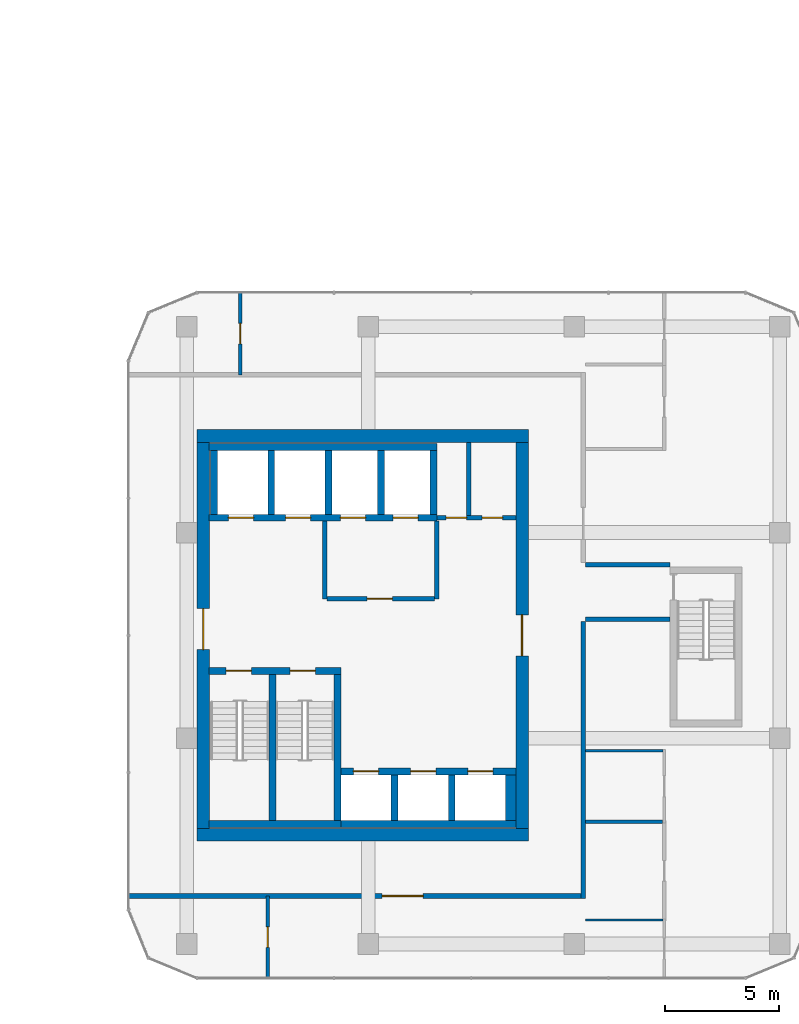
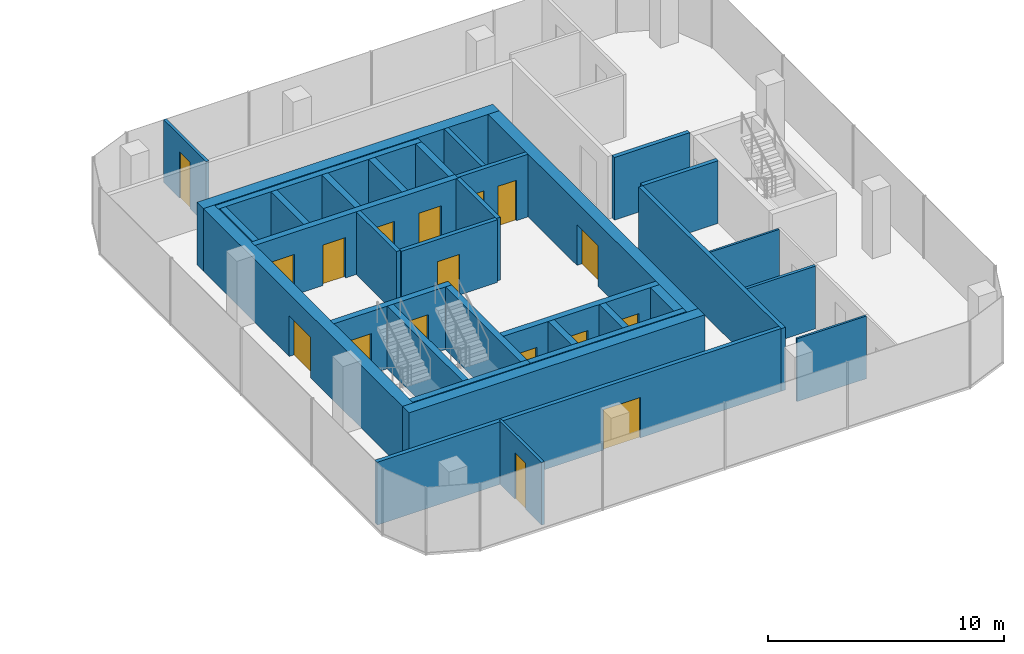
# One storey, part 18 of 23: 34 walls, 17 doors, 17 openings.
"""IFC4 building model written with IfcOpenShell, lengths in metres."""

import ifcopenshell
import ifcopenshell.guid

model = None  # the IFC model being written
_history = None  # IfcOwnerHistory: only IFC2X3 demands one
_inside = {}  # id of a spatial element -> (the spatial element, [elements in it])
_under = {}  # id of a project, library or spatial element -> (it, [spatial elements below it])
_declared = {}  # id of a project -> (the project, [libraries it declares])
_typed = {}  # id of a type object -> (the type object, [elements of that type])
_made_of = {}  # id of a material, layer set ... -> (it, [elements and type objects made of it])


def new_model(schema):
    """Start an empty IFC model of exactly this schema.

    Asked for "IFC4X3", IfcOpenShell would pick the latest addendum, in which some entities
    have other attributes; the version numbers below select the first issue.
    IFC2X3 requires an IfcOwnerHistory on every rooted entity: one is made here for all.
    """
    global model, _history
    if schema == "IFC4X3":
        model = ifcopenshell.file(schema_version=(4, 3, 0, 0))
    else:
        model = ifcopenshell.file(schema=schema)
    _inside.clear()
    _under.clear()
    _declared.clear()
    _typed.clear()
    _made_of.clear()
    _history = None
    if model.schema == "IFC2X3":
        org = make("IfcOrganization", Name="unknown")
        user = make(
            "IfcPersonAndOrganization",
            ThePerson=make("IfcPerson", FamilyName="unknown"),
            TheOrganization=org,
        )
        app = make(
            "IfcApplication",
            ApplicationDeveloper=org,
            Version="unknown",
            ApplicationFullName="unknown",
            ApplicationIdentifier="unknown",
        )
        _history = make(
            "IfcOwnerHistory",
            OwningUser=user,
            OwningApplication=app,
            ChangeAction="ADDED",
            CreationDate=0,
        )
    return model


def make(cls, **values):
    """One entity of the class cls with the attributes given. An attribute that is None is left unset."""
    return model.create_entity(
        cls, **{name: value for name, value in values.items() if value is not None}
    )


def rooted(cls, **values):
    """An entity with a GlobalId (a new one), such as an element, a storey or a relation."""
    return make(cls, GlobalId=ifcopenshell.guid.new(), OwnerHistory=_history, **values)


def si_unit(unit_type, name, prefix=None):
    """IfcSIUnit, for example si_unit("LENGTHUNIT", "METRE", prefix="MILLI")."""
    return make("IfcSIUnit", UnitType=unit_type, Prefix=prefix, Name=name)


def assignment(units):
    """IfcUnitAssignment: the units of a project."""
    return None if units is None else make("IfcUnitAssignment", Units=units)


def point(xyz):
    """IfcCartesianPoint."""
    return None if xyz is None else make("IfcCartesianPoint", Coordinates=xyz)


def direction(xyz):
    """IfcDirection."""
    return None if xyz is None else make("IfcDirection", DirectionRatios=xyz)


def frame(location, z_axis=None, x_axis=None):
    """IfcAxis2Placement3D, a coordinate frame: its origin and axes. An axis left out is left unset."""
    return make(
        "IfcAxis2Placement3D",
        Location=point(location),
        Axis=direction(z_axis),
        RefDirection=direction(x_axis),
    )


def frame_2d(location, x_axis=None):
    """IfcAxis2Placement2D, a coordinate frame in the plane: its origin and x axis."""
    return make(
        "IfcAxis2Placement2D", Location=point(location), RefDirection=direction(x_axis)
    )


def origin():
    """The frame at (0, 0, 0) with its axes left unset."""
    return frame((0.0, 0.0, 0.0))


def place(relative_to, where):
    """IfcLocalPlacement: puts the frame where relative to a parent placement (None: the world)."""
    return make(
        "IfcLocalPlacement", PlacementRelTo=relative_to, RelativePlacement=where
    )


def context(
    kind, dimensions, precision=None, world=None, true_north=None, identifier=None
):
    """IfcGeometricRepresentationContext, for example the 3D "Model" context."""
    return make(
        "IfcGeometricRepresentationContext",
        ContextIdentifier=identifier,
        ContextType=kind,
        CoordinateSpaceDimension=dimensions,
        Precision=precision,
        WorldCoordinateSystem=world,
        TrueNorth=true_north,
    )


def subcontext(parent, identifier, kind, view, scale=None):
    """IfcGeometricRepresentationSubContext, for example "Body" below "Model"."""
    return make(
        "IfcGeometricRepresentationSubContext",
        ContextIdentifier=identifier,
        ContextType=kind,
        ParentContext=parent,
        TargetScale=scale,
        TargetView=view,
    )


def project(units=None, contexts=None):
    """IfcProject with its units and contexts."""
    return rooted(
        "IfcProject",
        Name="project",
        RepresentationContexts=contexts,
        UnitsInContext=assignment(units),
    )


def spatial(cls, under=None, at=None, **own):
    """A site, building, storey or space (cls), placed at a placement, below another one or the project."""
    s = rooted(cls, ObjectPlacement=at, **own)
    if under is not None:
        _under.setdefault(under.id(), (under, []))[1].append(s)
    return s


def profile(cls, at=None, kind="AREA", **sizes):
    """A parametric profile (cls). Its sizes go by their IFC names, for example OverallWidth=200.0."""
    return make(cls, ProfileType=kind, Position=at, **sizes)


def rectangle(**sizes):
    """IfcRectangleProfileDef."""
    return profile("IfcRectangleProfileDef", **sizes)


def extrude(swept, where, along, depth):
    """IfcExtrudedAreaSolid: the profile swept, set in the frame where, extruded along a direction by depth."""
    return make(
        "IfcExtrudedAreaSolid",
        SweptArea=swept,
        Position=where,
        ExtrudedDirection=direction(along),
        Depth=depth,
    )


def shape(context_of_items, identifier, shape_type, items):
    """IfcShapeRepresentation: the items that make up one representation, for example the "Body"."""
    return make(
        "IfcShapeRepresentation",
        ContextOfItems=context_of_items,
        RepresentationIdentifier=identifier,
        RepresentationType=shape_type,
        Items=items,
    )


def material(Name=None, Category=None):
    """IfcMaterial."""
    return make("IfcMaterial", Name=Name, Category=Category)


def layer(
    of_material, thickness, ventilated=None, Name=None, Category=None, Priority=None
):
    """IfcMaterialLayer: one layer of a wall or slab, of a material (None: an air gap)."""
    return make(
        "IfcMaterialLayer",
        Material=of_material,
        LayerThickness=thickness,
        IsVentilated=ventilated,
        Name=Name,
        Category=Category,
        Priority=Priority,
    )


def layer_set(layers, Name=None):
    """IfcMaterialLayerSet."""
    return make("IfcMaterialLayerSet", MaterialLayers=layers, LayerSetName=Name)


def made_of(thing, what):
    """Note that an element or type object is made of a material, layer set ...; save() writes the relation."""
    if what is not None:
        _made_of.setdefault(what.id(), (what, []))[1].append(thing)
    return thing


def type_object(cls, material=None, **own):
    """A type object (cls), such as IfcWallType, which elements share."""
    return made_of(rooted(cls, **own), material)


def element(
    cls,
    number,
    at=None,
    inside=None,
    cuts=None,
    type_object=None,
    material=None,
    context=None,
    identifier="Body",
    shape_type=None,
    held_by="IfcProductDefinitionShape",
    body=None,
    shapes=None,
    **own,
):
    """One element of the class cls, such as IfcWall. Its Tag is "e" and its number.

    at: its placement. inside: the storey or other place that contains it. cuts: it is an
    opening in that element (IfcRelVoidsElement). A single representation is given by context,
    identifier, shape_type and body (its items); several are given by shapes. held_by: the class
    of the entity that holds the representations. save() writes the other relations.
    """
    e = rooted(cls, Tag="e%d" % number, ObjectPlacement=at, **own)
    if body is not None:
        shapes = [shape(context, identifier, shape_type, body)]
    if shapes is not None:
        e.Representation = make(held_by, Representations=shapes)
    if inside is not None:
        _inside.setdefault(inside.id(), (inside, []))[1].append(e)
    if cuts is not None:
        rooted(
            "IfcRelVoidsElement", RelatingBuildingElement=cuts, RelatedOpeningElement=e
        )
    if type_object is not None:
        _typed.setdefault(type_object.id(), (type_object, []))[1].append(e)
    return made_of(e, material)


def fill(opening, filler):
    """IfcRelFillsElement: the door or window that sits in an opening."""
    return rooted(
        "IfcRelFillsElement",
        RelatingOpeningElement=opening,
        RelatedBuildingElement=filler,
    )


def aggregate(whole, parts):
    """IfcRelAggregates: a whole, such as a stair, and the parts it consists of."""
    return rooted("IfcRelAggregates", RelatingObject=whole, RelatedObjects=parts)


def save(model, path):
    """Write the relations noted so far, then the file.

    IfcRelAggregates (storeys below a building ...), IfcRelContainedInSpatialStructure (elements
    in a storey), IfcRelDefinesByType, IfcRelAssociatesMaterial and IfcRelDeclares: one each for
    every whole, place, type object, material and project.
    """
    for whole, parts in _under.values():
        aggregate(whole, parts)
    for where, things in _inside.values():
        rooted(
            "IfcRelContainedInSpatialStructure",
            RelatedElements=things,
            RelatingStructure=where,
        )
    for kind, things in _typed.values():
        rooted("IfcRelDefinesByType", RelatedObjects=things, RelatingType=kind)
    for what, things in _made_of.values():
        rooted("IfcRelAssociatesMaterial", RelatedObjects=things, RelatingMaterial=what)
    for by, libraries in _declared.values():
        rooted("IfcRelDeclares", RelatingContext=by, RelatedDefinitions=libraries)
    model.write(path)


model = new_model("IFC4")

# Units and contexts
model_context = context("Model", 3, precision=1e-05, world=origin(), true_north=direction((0.0, 1.0)))
body_context = subcontext(model_context, "Body", "Model", "MODEL_VIEW")
ifc_project = project(units=[si_unit("LENGTHUNIT", "METRE"), si_unit("AREAUNIT", "SQUARE_METRE"), si_unit("VOLUMEUNIT", "CUBIC_METRE"), si_unit("PLANEANGLEUNIT", "RADIAN"), si_unit("MASSUNIT", "GRAM", prefix="KILO")], contexts=[model_context])

# Site, building, storey
site_placement = place(None, origin())
site = spatial("IfcSite", under=ifc_project, at=site_placement, CompositionType="ELEMENT")
building_placement = place(site_placement, origin())
building = spatial("IfcBuilding", under=site, at=building_placement, Name="Plateau Cross Towers", CompositionType="ELEMENT")
storey_placement = place(building_placement, frame((0.0, 0.0, 37.300048828125)))
storey = spatial("IfcBuildingStorey", under=building, at=storey_placement, Name="L08", CompositionType="ELEMENT", Elevation=37.300048828125)

# Wall
ifc_material_1 = material(Name="Concrete block, plastered both sides", Category="concrete")
ifc_layer_1 = layer(ifc_material_1, 0.199951171875)
ifc_layer_set_1 = layer_set([ifc_layer_1], Name="Concrete block, plastered both sides")
wall_type_1 = type_object("IfcWallType", Name="Core partition 200", PredefinedType="PARTITIONING", material=ifc_layer_set_1)
wall_1_placement = place(storey_placement, frame((80.60009765625, 10.60009765625, 0.0), z_axis=(0.0, 0.0, 1.0), x_axis=(0.0, 1.0, 0.0)))
element("IfcWall", 1, at=wall_1_placement, inside=storey, type_object=wall_type_1, Name="Core partition", PredefinedType="PARTITIONING", context=body_context, shape_type="SweptSolid", body=[
    extrude(rectangle(XDim=3.39990234375, YDim=0.199951171875, at=frame_2d((1.699951171875, 0.0))), origin(), (0.0, 0.0, 1.0), 3.25),
])

# Wall, opening, door
wall_2_placement = place(storey_placement, frame((80.699951171875, 10.60009765625, 0.0), z_axis=(0.0, 0.0, 1.0), x_axis=(1.0, 0.0, 0.0)))
wall_2 = element("IfcWall", 2, at=wall_2_placement, inside=storey, type_object=wall_type_1, Name="Core partition", PredefinedType="PARTITIONING", context=body_context, shape_type="SweptSolid", body=[
    extrude(rectangle(XDim=4.699951171875, YDim=0.199951171875, at=frame_2d((2.35009765625, 0.0))), origin(), (0.0, 0.0, 1.0), 3.25),
])
opening_1_placement = place(wall_2_placement, frame((1.75, 0.0, 0.0)))
opening_1 = element("IfcOpeningElement", 3, at=opening_1_placement, cuts=wall_2, Name="Opening FFD", PredefinedType="OPENING", context=body_context, shape_type="SweptSolid", body=[
    extrude(rectangle(XDim=1.10009765625, YDim=2.10009765625, at=frame_2d((0.550048828125, 1.050048828125))), frame((0.0, 0.10986328125, 0.0), z_axis=(0.0, -1.0, 0.0), x_axis=(1.0, 0.0, 0.0)), (0.0, 0.0, 1.0), 0.219970703125),
])
ifc_material_2 = material(Name="Steel, fire-resisting leaf", Category="steel")
door_type_1 = type_object("IfcDoorType", Name="Firefighting lobby door 1100", OperationType="NOTDEFINED", PredefinedType="DOOR", material=ifc_material_2)
door_1_placement = place(opening_1_placement, origin())
door_1 = element("IfcDoor", 4, at=door_1_placement, inside=storey, type_object=door_type_1, Name="Firefighting lobby door FFD", OperationType="SINGLE_SWING_LEFT", OverallHeight=2.10009765625, OverallWidth=1.10009765625, PredefinedType="DOOR", context=body_context, shape_type="SweptSolid", body=[
    extrude(rectangle(XDim=1.10009765625, YDim=2.10009765625, at=frame_2d((0.550048828125, 1.050048828125))), frame((0.0, 0.02490234375, 0.0), z_axis=(0.0, -1.0, 0.0), x_axis=(1.0, 0.0, 0.0)), (0.0, 0.0, 1.0), 0.050048828125),
])
fill(opening_1, door_1)

# Wall
wall_3_placement = place(storey_placement, frame((85.5, 10.60009765625, 0.0), z_axis=(0.0, 0.0, 1.0), x_axis=(0.0, 1.0, 0.0)))
element("IfcWall", 5, at=wall_3_placement, inside=storey, type_object=wall_type_1, Name="Core partition", PredefinedType="PARTITIONING", context=body_context, shape_type="SweptSolid", body=[
    extrude(rectangle(XDim=3.39990234375, YDim=0.199951171875, at=frame_2d((1.699951171875, 0.0))), origin(), (0.0, 0.0, 1.0), 3.25),
])

# Wall, openings, doors
wall_4_placement = place(storey_placement, frame((85.5, 14.14990234375, 0.0), z_axis=(0.0, 0.0, 1.0), x_axis=(1.0, 0.0, 0.0)))
wall_4 = element("IfcWall", 6, at=wall_4_placement, inside=storey, type_object=wall_type_1, Name="Core partition", PredefinedType="PARTITIONING", context=body_context, shape_type="SweptSolid", body=[
    extrude(rectangle(XDim=3.449951171875, YDim=0.199951171875, at=frame_2d((1.72509765625, 0.0))), origin(), (0.0, 0.0, 1.0), 3.25),
])
opening_2_placement = place(wall_4_placement, frame((0.39990234375, 0.0, 0.0)))
opening_2 = element("IfcOpeningElement", 7, at=opening_2_placement, cuts=wall_4, Name="Opening RD2", PredefinedType="OPENING", context=body_context, shape_type="SweptSolid", body=[
    extrude(rectangle(XDim=0.89990234375, YDim=2.10009765625, at=frame_2d((0.449951171875, 1.050048828125))), frame((0.0, 0.10986328125, 0.0), z_axis=(0.0, -1.0, 0.0), x_axis=(1.0, 0.0, 0.0)), (0.0, 0.0, 1.0), 0.219970703125),
])
opening_3_placement = place(wall_4_placement, frame((1.97509765625, 0.0, 0.0)))
opening_3 = element("IfcOpeningElement", 8, at=opening_3_placement, cuts=wall_4, Name="Opening RD2", PredefinedType="OPENING", context=body_context, shape_type="SweptSolid", body=[
    extrude(rectangle(XDim=0.89990234375, YDim=2.10009765625, at=frame_2d((0.449951171875, 1.050048828125))), frame((0.0, 0.10986328125, 0.0), z_axis=(0.0, -1.0, 0.0), x_axis=(1.0, 0.0, 0.0)), (0.0, 0.0, 1.0), 0.219970703125),
])
door_type_2 = type_object("IfcDoorType", Name="Core riser door 900", OperationType="NOTDEFINED", PredefinedType="DOOR", material=ifc_material_2)
door_2_placement = place(opening_2_placement, origin())
door_2 = element("IfcDoor", 9, at=door_2_placement, inside=storey, type_object=door_type_2, Name="Core riser door RD2", OperationType="SINGLE_SWING_LEFT", OverallHeight=2.10009765625, OverallWidth=0.89990234375, PredefinedType="DOOR", context=body_context, shape_type="SweptSolid", body=[
    extrude(rectangle(XDim=0.89990234375, YDim=2.10009765625, at=frame_2d((0.449951171875, 1.050048828125))), frame((0.0, 0.02490234375, 0.0), z_axis=(0.0, -1.0, 0.0), x_axis=(1.0, 0.0, 0.0)), (0.0, 0.0, 1.0), 0.050048828125),
])
fill(opening_2, door_2)
door_3_placement = place(opening_3_placement, origin())
door_3 = element("IfcDoor", 10, at=door_3_placement, inside=storey, type_object=door_type_2, Name="Core riser door RD2", OperationType="SINGLE_SWING_LEFT", OverallHeight=2.10009765625, OverallWidth=0.89990234375, PredefinedType="DOOR", context=body_context, shape_type="SweptSolid", body=[
    extrude(rectangle(XDim=0.89990234375, YDim=2.10009765625, at=frame_2d((0.449951171875, 1.050048828125))), frame((0.0, 0.02490234375, 0.0), z_axis=(0.0, -1.0, 0.0), x_axis=(1.0, 0.0, 0.0)), (0.0, 0.0, 1.0), 0.050048828125),
])
fill(opening_3, door_3)

# Walls
wall_5_placement = place(storey_placement, frame((86.89990234375, 14.25, 0.0), z_axis=(0.0, 0.0, 1.0), x_axis=(0.0, 1.0, 0.0)))
element("IfcWall", 11, at=wall_5_placement, inside=storey, type_object=wall_type_1, Name="Core partition", PredefinedType="PARTITIONING", context=body_context, shape_type="SweptSolid", body=[
    extrude(rectangle(XDim=3.199951171875, YDim=0.199951171875, at=frame_2d((1.60009765625, 0.0))), origin(), (0.0, 0.0, 1.0), 3.25),
])
ifc_material_3 = material(Name="Concrete C60/75", Category="concrete")
ifc_layer_2 = layer(ifc_material_3, 0.300048828125)
ifc_layer_set_2 = layer_set([ifc_layer_2], Name="Concrete C60/75")
wall_type_2 = type_object("IfcWallType", Name="Core shaft wall 300", PredefinedType="SHEAR", material=ifc_layer_set_2)
wall_6_placement = place(storey_placement, frame((75.530029296875, 0.75, 0.0), z_axis=(0.0, 0.0, 1.0), x_axis=(1.0, 0.0, 0.0)))
element("IfcWall", 12, at=wall_6_placement, inside=storey, type_object=wall_type_2, Name="B-sb-stS@L08", PredefinedType="SHEAR", context=body_context, shape_type="SweptSolid", body=[
    extrude(rectangle(XDim=5.77001953125, YDim=0.300048828125, at=frame_2d((2.885009765625, 0.0))), origin(), (0.0, 0.0, 1.0), 3.25),
])

# Wall, openings, doors
wall_7_placement = place(storey_placement, frame((75.530029296875, 7.449951171875, 0.0), z_axis=(0.0, 0.0, 1.0), x_axis=(1.0, 0.0, 0.0)))
wall_7 = element("IfcWall", 13, at=wall_7_placement, inside=storey, type_object=wall_type_2, Name="B-sb-stN@L08", PredefinedType="SHEAR", context=body_context, shape_type="SweptSolid", body=[
    extrude(rectangle(XDim=5.77001953125, YDim=0.300048828125, at=frame_2d((2.885009765625, 0.0))), origin(), (0.0, 0.0, 1.0), 3.25),
])
opening_4_placement = place(wall_7_placement, frame((0.75, 0.0, 0.0)))
opening_4 = element("IfcOpeningElement", 14, at=opening_4_placement, cuts=wall_7, Name="Opening SD", PredefinedType="OPENING", context=body_context, shape_type="SweptSolid", body=[
    extrude(rectangle(XDim=1.10009765625, YDim=2.10009765625, at=frame_2d((0.550048828125, 1.050048828125))), frame((0.0, 0.159912109375, 0.0), z_axis=(0.0, -1.0, 0.0), x_axis=(1.0, 0.0, 0.0)), (0.0, 0.0, 1.0), 0.320068359375),
])
opening_5_placement = place(wall_7_placement, frame((3.550048828125, 0.0, 0.0)))
opening_5 = element("IfcOpeningElement", 15, at=opening_5_placement, cuts=wall_7, Name="Opening SD", PredefinedType="OPENING", context=body_context, shape_type="SweptSolid", body=[
    extrude(rectangle(XDim=1.10009765625, YDim=2.10009765625, at=frame_2d((0.550048828125, 1.050048828125))), frame((0.0, 0.159912109375, 0.0), z_axis=(0.0, -1.0, 0.0), x_axis=(1.0, 0.0, 0.0)), (0.0, 0.0, 1.0), 0.320068359375),
])
door_type_3 = type_object("IfcDoorType", Name="Stair door 1100", OperationType="NOTDEFINED", PredefinedType="DOOR", material=ifc_material_2)
door_4_placement = place(opening_4_placement, origin())
door_4 = element("IfcDoor", 16, at=door_4_placement, inside=storey, type_object=door_type_3, Name="Stair door SD", OperationType="SINGLE_SWING_RIGHT", OverallHeight=2.10009765625, OverallWidth=1.10009765625, PredefinedType="DOOR", context=body_context, shape_type="SweptSolid", body=[
    extrude(rectangle(XDim=1.10009765625, YDim=2.10009765625, at=frame_2d((0.550048828125, 1.050048828125))), frame((0.0, 0.02490234375, 0.0), z_axis=(0.0, -1.0, 0.0), x_axis=(1.0, 0.0, 0.0)), (0.0, 0.0, 1.0), 0.050048828125),
])
fill(opening_4, door_4)
door_5_placement = place(opening_5_placement, origin())
door_5 = element("IfcDoor", 17, at=door_5_placement, inside=storey, type_object=door_type_3, Name="Stair door SD", OperationType="SINGLE_SWING_LEFT", OverallHeight=2.10009765625, OverallWidth=1.10009765625, PredefinedType="DOOR", context=body_context, shape_type="SweptSolid", body=[
    extrude(rectangle(XDim=1.10009765625, YDim=2.10009765625, at=frame_2d((0.550048828125, 1.050048828125))), frame((0.0, 0.02490234375, 0.0), z_axis=(0.0, -1.0, 0.0), x_axis=(1.0, 0.0, 0.0)), (0.0, 0.0, 1.0), 0.050048828125),
])
fill(opening_5, door_5)

# Walls
for number, where, z_axis, x_axis, name in (
    (18, (78.300048828125, 0.89990234375, 0.0), (0.0, 0.0, 1.0), (0.0, 1.0, 0.0), "B-sb-st1@L08"),
    (19, (81.14990234375, 0.89990234375, 0.0), (0.0, 0.0, 1.0), (0.0, 1.0, 0.0), "B-sb-st2@L08"),
):
    element("IfcWall", number, at=place(storey_placement, frame(where, z_axis=z_axis, x_axis=x_axis)), inside=storey, type_object=wall_type_2, Name=name, PredefinedType="SHEAR", context=body_context, shape_type="SweptSolid", body=[
        extrude(rectangle(XDim=6.400146484375, YDim=0.300048828125, at=frame_2d((3.2001953125, 0.0))), origin(), (0.0, 0.0, 1.0), 3.25),
    ])
wall_8_placement = place(storey_placement, frame((81.300048828125, 0.75, 0.0), z_axis=(0.0, 0.0, 1.0), x_axis=(1.0, 0.0, 0.0)))
element("IfcWall", 20, at=wall_8_placement, inside=storey, type_object=wall_type_2, Name="B-sb-back@L08", PredefinedType="SHEAR", context=body_context, shape_type="SweptSolid", body=[
    extrude(rectangle(XDim=7.64990234375, YDim=0.300048828125, at=frame_2d((3.824951171875, 0.0))), origin(), (0.0, 0.0, 1.0), 3.25),
])
for number, where, z_axis, x_axis, name in (
    (21, (83.64990234375, 0.89990234375, 0.0), (0.0, 0.0, 1.0), (0.0, 1.0, 0.0), "B-sb-v1@L08"),
    (22, (86.14990234375, 0.89990234375, 0.0), (0.0, 0.0, 1.0), (0.0, 1.0, 0.0), "B-sb-v2@L08"),
):
    element("IfcWall", number, at=place(storey_placement, frame(where, z_axis=z_axis, x_axis=x_axis)), inside=storey, type_object=wall_type_2, Name=name, PredefinedType="SHEAR", context=body_context, shape_type="SweptSolid", body=[
        extrude(rectangle(XDim=2.0, YDim=0.300048828125, at=frame_2d((1.0, 0.0))), origin(), (0.0, 0.0, 1.0), 3.25),
    ])

# Wall, openings, doors
wall_9_placement = place(storey_placement, frame((81.300048828125, 3.050048828125, 0.0), z_axis=(0.0, 0.0, 1.0), x_axis=(1.0, 0.0, 0.0)))
wall_9 = element("IfcWall", 23, at=wall_9_placement, inside=storey, type_object=wall_type_2, Name="B-sb-front@L08", PredefinedType="SHEAR", context=body_context, shape_type="SweptSolid", body=[
    extrude(rectangle(XDim=7.64990234375, YDim=0.300048828125, at=frame_2d((3.824951171875, 0.0))), origin(), (0.0, 0.0, 1.0), 3.25),
])
opening_6_placement = place(wall_9_placement, frame((0.550048828125, 0.0, 0.0)))
opening_6 = element("IfcOpeningElement", 24, at=opening_6_placement, cuts=wall_9, Name="Opening LD", PredefinedType="OPENING", context=body_context, shape_type="SweptSolid", body=[
    extrude(rectangle(XDim=1.10009765625, YDim=2.10009765625, at=frame_2d((0.550048828125, 1.050048828125))), frame((0.0, 0.159912109375, 0.0), z_axis=(0.0, -1.0, 0.0), x_axis=(1.0, 0.0, 0.0)), (0.0, 0.0, 1.0), 0.320068359375),
])
opening_7_placement = place(wall_9_placement, frame((3.050048828125, 0.0, 0.0)))
opening_7 = element("IfcOpeningElement", 25, at=opening_7_placement, cuts=wall_9, Name="Opening LD", PredefinedType="OPENING", context=body_context, shape_type="SweptSolid", body=[
    extrude(rectangle(XDim=1.10009765625, YDim=2.10009765625, at=frame_2d((0.550048828125, 1.050048828125))), frame((0.0, 0.159912109375, 0.0), z_axis=(0.0, -1.0, 0.0), x_axis=(1.0, 0.0, 0.0)), (0.0, 0.0, 1.0), 0.320068359375),
])
opening_8_placement = place(wall_9_placement, frame((5.550048828125, 0.0, 0.0)))
opening_8 = element("IfcOpeningElement", 26, at=opening_8_placement, cuts=wall_9, Name="Opening LD", PredefinedType="OPENING", context=body_context, shape_type="SweptSolid", body=[
    extrude(rectangle(XDim=1.10009765625, YDim=2.10009765625, at=frame_2d((0.550048828125, 1.050048828125))), frame((0.0, 0.159912109375, 0.0), z_axis=(0.0, -1.0, 0.0), x_axis=(1.0, 0.0, 0.0)), (0.0, 0.0, 1.0), 0.320068359375),
])
ifc_material_4 = material(Name="Stainless steel, fire-resisting sliding leaves", Category="steel")
door_type_4 = type_object("IfcDoorType", Name="Lift landing door 1100", OperationType="NOTDEFINED", PredefinedType="DOOR", material=ifc_material_4)
door_6_placement = place(opening_6_placement, origin())
door_6 = element("IfcDoor", 27, at=door_6_placement, inside=storey, type_object=door_type_4, Name="Lift landing door LD", OperationType="DOUBLE_DOOR_SLIDING", OverallHeight=2.10009765625, OverallWidth=1.10009765625, PredefinedType="DOOR", context=body_context, shape_type="SweptSolid", body=[
    extrude(rectangle(XDim=1.10009765625, YDim=2.10009765625, at=frame_2d((0.550048828125, 1.050048828125))), frame((0.0, 0.02490234375, 0.0), z_axis=(0.0, -1.0, 0.0), x_axis=(1.0, 0.0, 0.0)), (0.0, 0.0, 1.0), 0.050048828125),
])
fill(opening_6, door_6)
door_7_placement = place(opening_7_placement, origin())
door_7 = element("IfcDoor", 28, at=door_7_placement, inside=storey, type_object=door_type_4, Name="Lift landing door LD", OperationType="DOUBLE_DOOR_SLIDING", OverallHeight=2.10009765625, OverallWidth=1.10009765625, PredefinedType="DOOR", context=body_context, shape_type="SweptSolid", body=[
    extrude(rectangle(XDim=1.10009765625, YDim=2.10009765625, at=frame_2d((0.550048828125, 1.050048828125))), frame((0.0, 0.02490234375, 0.0), z_axis=(0.0, -1.0, 0.0), x_axis=(1.0, 0.0, 0.0)), (0.0, 0.0, 1.0), 0.050048828125),
])
fill(opening_7, door_7)
door_8_placement = place(opening_8_placement, origin())
door_8 = element("IfcDoor", 29, at=door_8_placement, inside=storey, type_object=door_type_4, Name="Lift landing door LD", OperationType="DOUBLE_DOOR_SLIDING", OverallHeight=2.10009765625, OverallWidth=1.10009765625, PredefinedType="DOOR", context=body_context, shape_type="SweptSolid", body=[
    extrude(rectangle(XDim=1.10009765625, YDim=2.10009765625, at=frame_2d((0.550048828125, 1.050048828125))), frame((0.0, 0.02490234375, 0.0), z_axis=(0.0, -1.0, 0.0), x_axis=(1.0, 0.0, 0.0)), (0.0, 0.0, 1.0), 0.050048828125),
])
fill(opening_8, door_8)

# Wall
wall_10_placement = place(storey_placement, frame((75.530029296875, 17.25, 0.0), z_axis=(0.0, 0.0, 1.0), x_axis=(1.0, 0.0, 0.0)))
element("IfcWall", 30, at=wall_10_placement, inside=storey, type_object=wall_type_2, Name="B-nb-back@L08", PredefinedType="SHEAR", context=body_context, shape_type="SweptSolid", body=[
    extrude(rectangle(XDim=9.969970703125, YDim=0.300048828125, at=frame_2d((4.98486328125, 0.0))), origin(), (0.0, 0.0, 1.0), 3.25),
])

# Wall, openings, doors
wall_11_placement = place(storey_placement, frame((75.530029296875, 14.14990234375, 0.0), z_axis=(0.0, 0.0, 1.0), x_axis=(1.0, 0.0, 0.0)))
wall_11 = element("IfcWall", 31, at=wall_11_placement, inside=storey, type_object=wall_type_2, Name="B-nb-front@L08", PredefinedType="SHEAR", context=body_context, shape_type="SweptSolid", body=[
    extrude(rectangle(XDim=9.969970703125, YDim=0.300048828125, at=frame_2d((4.98486328125, 0.0))), origin(), (0.0, 0.0, 1.0), 3.25),
])
opening_9_placement = place(wall_11_placement, frame((0.85009765625, 0.0, 0.0)))
opening_9 = element("IfcOpeningElement", 32, at=opening_9_placement, cuts=wall_11, Name="Opening LD", PredefinedType="OPENING", context=body_context, shape_type="SweptSolid", body=[
    extrude(rectangle(XDim=1.10009765625, YDim=2.10009765625, at=frame_2d((0.550048828125, 1.050048828125))), frame((0.0, 0.159912109375, 0.0), z_axis=(0.0, -1.0, 0.0), x_axis=(1.0, 0.0, 0.0)), (0.0, 0.0, 1.0), 0.320068359375),
])
opening_10_placement = place(wall_11_placement, frame((3.35009765625, 0.0, 0.0)))
opening_10 = element("IfcOpeningElement", 33, at=opening_10_placement, cuts=wall_11, Name="Opening LD", PredefinedType="OPENING", context=body_context, shape_type="SweptSolid", body=[
    extrude(rectangle(XDim=1.10009765625, YDim=2.10009765625, at=frame_2d((0.550048828125, 1.050048828125))), frame((0.0, 0.159912109375, 0.0), z_axis=(0.0, -1.0, 0.0), x_axis=(1.0, 0.0, 0.0)), (0.0, 0.0, 1.0), 0.320068359375),
])
opening_11_placement = place(wall_11_placement, frame((5.75, 0.0, 0.0)))
opening_11 = element("IfcOpeningElement", 34, at=opening_11_placement, cuts=wall_11, Name="Opening LD", PredefinedType="OPENING", context=body_context, shape_type="SweptSolid", body=[
    extrude(rectangle(XDim=1.10009765625, YDim=2.10009765625, at=frame_2d((0.550048828125, 1.050048828125))), frame((0.0, 0.159912109375, 0.0), z_axis=(0.0, -1.0, 0.0), x_axis=(1.0, 0.0, 0.0)), (0.0, 0.0, 1.0), 0.320068359375),
])
opening_12_placement = place(wall_11_placement, frame((8.050048828125, 0.0, 0.0)))
opening_12 = element("IfcOpeningElement", 35, at=opening_12_placement, cuts=wall_11, Name="Opening LD", PredefinedType="OPENING", context=body_context, shape_type="SweptSolid", body=[
    extrude(rectangle(XDim=1.10009765625, YDim=2.10009765625, at=frame_2d((0.550048828125, 1.050048828125))), frame((0.0, 0.159912109375, 0.0), z_axis=(0.0, -1.0, 0.0), x_axis=(1.0, 0.0, 0.0)), (0.0, 0.0, 1.0), 0.320068359375),
])
door_9_placement = place(opening_9_placement, origin())
door_9 = element("IfcDoor", 36, at=door_9_placement, inside=storey, type_object=door_type_4, Name="Lift landing door LD", OperationType="DOUBLE_DOOR_SLIDING", OverallHeight=2.10009765625, OverallWidth=1.10009765625, PredefinedType="DOOR", context=body_context, shape_type="SweptSolid", body=[
    extrude(rectangle(XDim=1.10009765625, YDim=2.10009765625, at=frame_2d((0.550048828125, 1.050048828125))), frame((0.0, 0.02490234375, 0.0), z_axis=(0.0, -1.0, 0.0), x_axis=(1.0, 0.0, 0.0)), (0.0, 0.0, 1.0), 0.050048828125),
])
fill(opening_9, door_9)
door_10_placement = place(opening_10_placement, origin())
door_10 = element("IfcDoor", 37, at=door_10_placement, inside=storey, type_object=door_type_4, Name="Lift landing door LD", OperationType="DOUBLE_DOOR_SLIDING", OverallHeight=2.10009765625, OverallWidth=1.10009765625, PredefinedType="DOOR", context=body_context, shape_type="SweptSolid", body=[
    extrude(rectangle(XDim=1.10009765625, YDim=2.10009765625, at=frame_2d((0.550048828125, 1.050048828125))), frame((0.0, 0.02490234375, 0.0), z_axis=(0.0, -1.0, 0.0), x_axis=(1.0, 0.0, 0.0)), (0.0, 0.0, 1.0), 0.050048828125),
])
fill(opening_10, door_10)
door_11_placement = place(opening_11_placement, origin())
door_11 = element("IfcDoor", 38, at=door_11_placement, inside=storey, type_object=door_type_4, Name="Lift landing door LD", OperationType="DOUBLE_DOOR_SLIDING", OverallHeight=2.10009765625, OverallWidth=1.10009765625, PredefinedType="DOOR", context=body_context, shape_type="SweptSolid", body=[
    extrude(rectangle(XDim=1.10009765625, YDim=2.10009765625, at=frame_2d((0.550048828125, 1.050048828125))), frame((0.0, 0.02490234375, 0.0), z_axis=(0.0, -1.0, 0.0), x_axis=(1.0, 0.0, 0.0)), (0.0, 0.0, 1.0), 0.050048828125),
])
fill(opening_11, door_11)
door_12_placement = place(opening_12_placement, origin())
door_12 = element("IfcDoor", 39, at=door_12_placement, inside=storey, type_object=door_type_4, Name="Lift landing door LD", OperationType="DOUBLE_DOOR_SLIDING", OverallHeight=2.10009765625, OverallWidth=1.10009765625, PredefinedType="DOOR", context=body_context, shape_type="SweptSolid", body=[
    extrude(rectangle(XDim=1.10009765625, YDim=2.10009765625, at=frame_2d((0.550048828125, 1.050048828125))), frame((0.0, 0.02490234375, 0.0), z_axis=(0.0, -1.0, 0.0), x_axis=(1.0, 0.0, 0.0)), (0.0, 0.0, 1.0), 0.050048828125),
])
fill(opening_12, door_12)

# Walls
for number, where, z_axis, x_axis, name in (
    (40, (75.75, 14.300048828125, 0.0), (0.0, 0.0, 1.0), (0.0, 1.0, 0.0), "B-nb-v0@L08"),
    (41, (78.25, 14.300048828125, 0.0), (0.0, 0.0, 1.0), (0.0, 1.0, 0.0), "B-nb-v1@L08"),
    (42, (80.75, 14.300048828125, 0.0), (0.0, 0.0, 1.0), (0.0, 1.0, 0.0), "B-nb-v2@L08"),
    (43, (83.050048828125, 14.300048828125, 0.0), (0.0, 0.0, 1.0), (0.0, 1.0, 0.0), "B-nb-v3@L08"),
    (44, (85.35009765625, 14.300048828125, 0.0), (0.0, 0.0, 1.0), (0.0, 1.0, 0.0), "B-nb-v4@L08"),
):
    element("IfcWall", number, at=place(storey_placement, frame(where, z_axis=z_axis, x_axis=x_axis)), inside=storey, type_object=wall_type_2, Name=name, PredefinedType="SHEAR", context=body_context, shape_type="SweptSolid", body=[
        extrude(rectangle(XDim=2.800048828125, YDim=0.300048828125, at=frame_2d((1.39990234375, 0.0))), origin(), (0.0, 0.0, 1.0), 3.25),
    ])
ifc_layer_3 = layer(ifc_material_3, 0.449951171875)
ifc_layer_set_3 = layer_set([ifc_layer_3], Name="Concrete C60/75")
wall_type_3 = type_object("IfcWallType", Name="Core shaft wall 450", PredefinedType="SHEAR", material=ifc_layer_set_3)
wall_12_placement = place(storey_placement, frame((88.72509765625, 0.89990234375, 0.0), z_axis=(0.0, 0.0, 1.0), x_axis=(0.0, 1.0, 0.0)))
element("IfcWall", 45, at=wall_12_placement, inside=storey, type_object=wall_type_3, Name="B-sb-v3@L08", PredefinedType="SHEAR", context=body_context, shape_type="SweptSolid", body=[
    extrude(rectangle(XDim=2.0, YDim=0.449951171875, at=frame_2d((1.0, 0.0))), origin(), (0.0, 0.0, 1.0), 3.25),
])
ifc_layer_4 = layer(ifc_material_3, 0.550048828125)
ifc_layer_set_4 = layer_set([ifc_layer_4], Name="Concrete C60/75")
wall_type_4 = type_object("IfcWallType", Name="Core shell wall 550", PredefinedType="SHEAR", material=ifc_layer_set_4)
for number, where, z_axis, x_axis, name in (
    (46, (75.0, 0.27490234375, 0.0), (0.0, 0.0, 1.0), (1.0, 0.0, 0.0), "B-core-S@L08"),
    (47, (75.0, 17.72509765625, 0.0), (0.0, 0.0, 1.0), (1.0, 0.0, 0.0), "B-core-N@L08"),
):
    element("IfcWall", number, at=place(storey_placement, frame(where, z_axis=z_axis, x_axis=x_axis)), inside=storey, type_object=wall_type_4, Name=name, PredefinedType="SHEAR", context=body_context, shape_type="SweptSolid", body=[
        extrude(rectangle(XDim=14.5, YDim=0.550048828125, at=frame_2d((7.25, 0.0))), origin(), (0.0, 0.0, 1.0), 3.25),
    ])

# Wall, opening, door
wall_13_placement = place(storey_placement, frame((75.27490234375, 0.550048828125, 0.0), z_axis=(0.0, 0.0, 1.0), x_axis=(0.0, 1.0, 0.0)))
wall_13 = element("IfcWall", 48, at=wall_13_placement, inside=storey, type_object=wall_type_4, Name="B-core-W@L08", PredefinedType="SHEAR", context=body_context, shape_type="SweptSolid", body=[
    extrude(rectangle(XDim=16.89990234375, YDim=0.550048828125, at=frame_2d((8.449951171875, 0.0))), origin(), (0.0, 0.0, 1.0), 3.25),
])
opening_13_placement = place(wall_13_placement, frame((7.824951171875, 0.0, 0.0)))
opening_13 = element("IfcOpeningElement", 49, at=opening_13_placement, cuts=wall_13, Name="Opening CD", PredefinedType="OPENING", context=body_context, shape_type="SweptSolid", body=[
    extrude(rectangle(XDim=1.800048828125, YDim=2.10009765625, at=frame_2d((0.89990234375, 1.050048828125))), frame((0.0, 0.284912109375, 0.0), z_axis=(0.0, -1.0, 0.0), x_axis=(1.0, 0.0, 0.0)), (0.0, 0.0, 1.0), 0.570068359375),
])
ifc_material_5 = material(Name="Steel, fire-resisting leaves", Category="steel")
door_type_5 = type_object("IfcDoorType", Name="Corridor door pair 1800", OperationType="NOTDEFINED", PredefinedType="DOOR", material=ifc_material_5)
door_13_placement = place(opening_13_placement, origin())
door_13 = element("IfcDoor", 50, at=door_13_placement, inside=storey, type_object=door_type_5, Name="Corridor door pair CD", OperationType="DOUBLE_DOOR_SINGLE_SWING", OverallHeight=2.10009765625, OverallWidth=1.800048828125, PredefinedType="DOOR", context=body_context, shape_type="SweptSolid", body=[
    extrude(rectangle(XDim=1.800048828125, YDim=2.10009765625, at=frame_2d((0.89990234375, 1.050048828125))), frame((0.0, 0.02490234375, 0.0), z_axis=(0.0, -1.0, 0.0), x_axis=(1.0, 0.0, 0.0)), (0.0, 0.0, 1.0), 0.050048828125),
])
fill(opening_13, door_13)

wall_14_placement = place(storey_placement, frame((89.22509765625, 0.550048828125, 0.0), z_axis=(0.0, 0.0, 1.0), x_axis=(0.0, 1.0, 0.0)))
wall_14 = element("IfcWall", 51, at=wall_14_placement, inside=storey, type_object=wall_type_4, Name="B-core-E@L08", PredefinedType="SHEAR", context=body_context, shape_type="SweptSolid", body=[
    extrude(rectangle(XDim=16.89990234375, YDim=0.550048828125, at=frame_2d((8.449951171875, 0.0))), origin(), (0.0, 0.0, 1.0), 3.25),
])
opening_14_placement = place(wall_14_placement, frame((7.550048828125, 0.0, 0.0)))
opening_14 = element("IfcOpeningElement", 52, at=opening_14_placement, cuts=wall_14, Name="Opening CD", PredefinedType="OPENING", context=body_context, shape_type="SweptSolid", body=[
    extrude(rectangle(XDim=1.800048828125, YDim=2.10009765625, at=frame_2d((0.89990234375, 1.050048828125))), frame((0.0, 0.284912109375, 0.0), z_axis=(0.0, -1.0, 0.0), x_axis=(1.0, 0.0, 0.0)), (0.0, 0.0, 1.0), 0.570068359375),
])
door_14_placement = place(opening_14_placement, origin())
door_14 = element("IfcDoor", 53, at=door_14_placement, inside=storey, type_object=door_type_5, Name="Corridor door pair CD", OperationType="DOUBLE_DOOR_SINGLE_SWING", OverallHeight=2.10009765625, OverallWidth=1.800048828125, PredefinedType="DOOR", context=body_context, shape_type="SweptSolid", body=[
    extrude(rectangle(XDim=1.800048828125, YDim=2.10009765625, at=frame_2d((0.89990234375, 1.050048828125))), frame((0.0, 0.02490234375, 0.0), z_axis=(0.0, -1.0, 0.0), x_axis=(1.0, 0.0, 0.0)), (0.0, 0.0, 1.0), 0.050048828125),
])
fill(opening_14, door_14)

ifc_material_6 = material(Name="Gypsum board on steel studs, two layers each side", Category="steel")
ifc_layer_5 = layer(ifc_material_6, 0.199951171875)
ifc_layer_set_5 = layer_set([ifc_layer_5], Name="Gypsum board on steel studs, two layers each side")
wall_type_5 = type_object("IfcWallType", Name="Corridor wall 200", PredefinedType="PARTITIONING", material=ifc_layer_set_5)
wall_15_placement = place(storey_placement, frame((72.0, -2.39990234375, 0.0), z_axis=(0.0, 0.0, 1.0), x_axis=(1.0, 0.0, 0.0)))
wall_15 = element("IfcWall", 54, at=wall_15_placement, inside=storey, type_object=wall_type_5, Name="Ring wall", PredefinedType="PARTITIONING", context=body_context, shape_type="SweptSolid", body=[
    extrude(rectangle(XDim=20.0, YDim=0.199951171875, at=frame_2d((10.0, 0.0))), origin(), (0.0, 0.0, 1.0), 3.25),
])
opening_15_placement = place(wall_15_placement, frame((11.10009765625, 0.0, 0.0)))
opening_15 = element("IfcOpeningElement", 55, at=opening_15_placement, cuts=wall_15, Name="Opening D-BE18", PredefinedType="OPENING", context=body_context, shape_type="SweptSolid", body=[
    extrude(rectangle(XDim=1.800048828125, YDim=2.10009765625, at=frame_2d((0.89990234375, 1.050048828125))), frame((0.0, 0.10986328125, 0.0), z_axis=(0.0, -1.0, 0.0), x_axis=(1.0, 0.0, 0.0)), (0.0, 0.0, 1.0), 0.219970703125),
])
ifc_material_7 = material(Name="Timber, fire-resisting leaves", Category="wood")
door_type_6 = type_object("IfcDoorType", Name="Tenant entrance door pair 1800", OperationType="NOTDEFINED", PredefinedType="DOOR", material=ifc_material_7)
door_15_placement = place(opening_15_placement, origin())
door_15 = element("IfcDoor", 56, at=door_15_placement, inside=storey, type_object=door_type_6, Name="Door D-BE18", OperationType="DOUBLE_DOOR_SINGLE_SWING", OverallHeight=2.10009765625, OverallWidth=1.800048828125, PredefinedType="DOOR", context=body_context, shape_type="SweptSolid", body=[
    extrude(rectangle(XDim=1.800048828125, YDim=2.10009765625, at=frame_2d((0.89990234375, 1.050048828125))), frame((0.0, 0.02490234375, 0.0), z_axis=(0.0, -1.0, 0.0), x_axis=(1.0, 0.0, 0.0)), (0.0, 0.0, 1.0), 0.050048828125),
])
fill(opening_15, door_15)

# Walls
wall_16_placement = place(storey_placement, frame((91.89990234375, -2.5, 0.0), z_axis=(0.0, 0.0, 1.0), x_axis=(0.0, 1.0, 0.0)))
element("IfcWall", 57, at=wall_16_placement, inside=storey, type_object=wall_type_5, Name="Ring wall", PredefinedType="PARTITIONING", context=body_context, shape_type="SweptSolid", body=[
    extrude(rectangle(XDim=12.10009765625, YDim=0.199951171875, at=frame_2d((6.050048828125, 0.0))), origin(), (0.0, 0.0, 1.0), 3.25),
])
for number, where, z_axis, x_axis, name in (
    (58, (92.0, 9.699951171875, 0.0), (0.0, 0.0, 1.0), (1.0, 0.0, 0.0), "Ring wall"),
    (59, (92.0, 12.10009765625, 0.0), (0.0, 0.0, 1.0), (1.0, 0.0, 0.0), "Ring wall"),
):
    element("IfcWall", number, at=place(storey_placement, frame(where, z_axis=z_axis, x_axis=x_axis)), inside=storey, type_object=wall_type_5, Name=name, PredefinedType="PARTITIONING", context=body_context, shape_type="SweptSolid", body=[
        extrude(rectangle(XDim=3.699951171875, YDim=0.199951171875, at=frame_2d((1.85009765625, 0.0))), origin(), (0.0, 0.0, 1.0), 3.25),
    ])

# Wall, opening, door
ifc_material_8 = material(Name="Gypsum board on staggered steel studs, mineral wool, two layers each side", Category="steel")
ifc_layer_6 = layer(ifc_material_8, 0.139892578125)
ifc_layer_set_6 = layer_set([ifc_layer_6], Name="Gypsum board on staggered steel studs, mineral wool, two layers each side")
wall_type_6 = type_object("IfcWallType", Name="Meeting room acoustic partition 140", PredefinedType="PARTITIONING", material=ifc_layer_set_6)
wall_17_placement = place(storey_placement, frame((78.10009765625, -6.0, 0.0), z_axis=(0.0, 0.0, 1.0), x_axis=(0.0, 1.0, 0.0)))
wall_17 = element("IfcWall", 60, at=wall_17_placement, inside=storey, type_object=wall_type_6, Name="Acoustic wall", PredefinedType="PARTITIONING", context=body_context, shape_type="SweptSolid", body=[
    extrude(rectangle(XDim=3.60009765625, YDim=0.139892578125, at=frame_2d((1.800048828125, 0.0))), origin(), (0.0, 0.0, 1.0), 3.25),
])
opening_16_placement = place(wall_17_placement, frame((1.35009765625, 0.0, 0.0)))
opening_16 = element("IfcOpeningElement", 61, at=opening_16_placement, cuts=wall_17, Name="Opening D-BM9", PredefinedType="OPENING", context=body_context, shape_type="SweptSolid", body=[
    extrude(rectangle(XDim=0.89990234375, YDim=2.39990234375, at=frame_2d((0.449951171875, 1.199951171875))), frame((0.0, 0.079833984375, 0.0), z_axis=(0.0, -1.0, 0.0), x_axis=(1.0, 0.0, 0.0)), (0.0, 0.0, 1.0), 0.159912109375),
])
ifc_material_9 = material(Name="Timber leaf, full height", Category="wood")
door_type_7 = type_object("IfcDoorType", Name="Meeting room door 900x2400", OperationType="NOTDEFINED", PredefinedType="DOOR", material=ifc_material_9)
door_16_placement = place(opening_16_placement, origin())
door_16 = element("IfcDoor", 62, at=door_16_placement, inside=storey, type_object=door_type_7, Name="Door D-BM9", OperationType="SINGLE_SWING_LEFT", OverallHeight=2.39990234375, OverallWidth=0.89990234375, PredefinedType="DOOR", context=body_context, shape_type="SweptSolid", body=[
    extrude(rectangle(XDim=0.89990234375, YDim=2.39990234375, at=frame_2d((0.449951171875, 1.199951171875))), frame((0.0, 0.02490234375, 0.0), z_axis=(0.0, -1.0, 0.0), x_axis=(1.0, 0.0, 0.0)), (0.0, 0.0, 1.0), 0.050048828125),
])
fill(opening_16, door_16)

# Wall
wall_18_placement = place(storey_placement, frame((92.0, 0.85009765625, 0.0), z_axis=(0.0, 0.0, 1.0), x_axis=(1.0, 0.0, 0.0)))
element("IfcWall", 63, at=wall_18_placement, inside=storey, type_object=wall_type_6, Name="Acoustic wall", PredefinedType="PARTITIONING", context=body_context, shape_type="SweptSolid", body=[
    extrude(rectangle(XDim=3.3798828125, YDim=0.139892578125, at=frame_2d((1.68994140625, 0.0))), origin(), (0.0, 0.0, 1.0), 3.25),
])

# Wall, opening, door
wall_19_placement = place(storey_placement, frame((76.89990234375, 20.39990234375, 0.0), z_axis=(0.0, 0.0, 1.0), x_axis=(0.0, 1.0, 0.0)))
wall_19 = element("IfcWall", 64, at=wall_19_placement, inside=storey, type_object=wall_type_6, Name="Acoustic wall", PredefinedType="PARTITIONING", context=body_context, shape_type="SweptSolid", body=[
    extrude(rectangle(XDim=3.60009765625, YDim=0.139892578125, at=frame_2d((1.800048828125, 0.0))), origin(), (0.0, 0.0, 1.0), 3.25),
])
opening_17_placement = place(wall_19_placement, frame((1.35009765625, 0.0, 0.0)))
opening_17 = element("IfcOpeningElement", 65, at=opening_17_placement, cuts=wall_19, Name="Opening D-BM9", PredefinedType="OPENING", context=body_context, shape_type="SweptSolid", body=[
    extrude(rectangle(XDim=0.89990234375, YDim=2.39990234375, at=frame_2d((0.449951171875, 1.199951171875))), frame((0.0, 0.079833984375, 0.0), z_axis=(0.0, -1.0, 0.0), x_axis=(1.0, 0.0, 0.0)), (0.0, 0.0, 1.0), 0.159912109375),
])
door_17_placement = place(opening_17_placement, origin())
door_17 = element("IfcDoor", 66, at=door_17_placement, inside=storey, type_object=door_type_7, Name="Door D-BM9", OperationType="SINGLE_SWING_LEFT", OverallHeight=2.39990234375, OverallWidth=0.89990234375, PredefinedType="DOOR", context=body_context, shape_type="SweptSolid", body=[
    extrude(rectangle(XDim=0.89990234375, YDim=2.39990234375, at=frame_2d((0.449951171875, 1.199951171875))), frame((0.0, 0.02490234375, 0.0), z_axis=(0.0, -1.0, 0.0), x_axis=(1.0, 0.0, 0.0)), (0.0, 0.0, 1.0), 0.050048828125),
])
fill(opening_17, door_17)

# Walls
ifc_material_10 = material(Name="Gypsum board on steel studs", Category="steel")
ifc_layer_7 = layer(ifc_material_10, 0.10009765625)
ifc_layer_set_7 = layer_set([ifc_layer_7], Name="Gypsum board on steel studs")
wall_type_7 = type_object("IfcWallType", Name="Office partition 100", PredefinedType="PARTITIONING", material=ifc_layer_set_7)
for number, where, z_axis, x_axis, name in (
    (67, (92.0, -3.449951171875, 0.0), (0.0, 0.0, 1.0), (1.0, 0.0, 0.0), "Part wall"),
    (68, (92.0, 3.949951171875, 0.0), (0.0, 0.0, 1.0), (1.0, 0.0, 0.0), "Part wall"),
):
    element("IfcWall", number, at=place(storey_placement, frame(where, z_axis=z_axis, x_axis=x_axis)), inside=storey, type_object=wall_type_7, Name=name, PredefinedType="PARTITIONING", context=body_context, shape_type="SweptSolid", body=[
        extrude(rectangle(XDim=3.39990234375, YDim=0.10009765625, at=frame_2d((1.699951171875, 0.0))), origin(), (0.0, 0.0, 1.0), 3.25),
    ])

save(model, "model.ifc")
